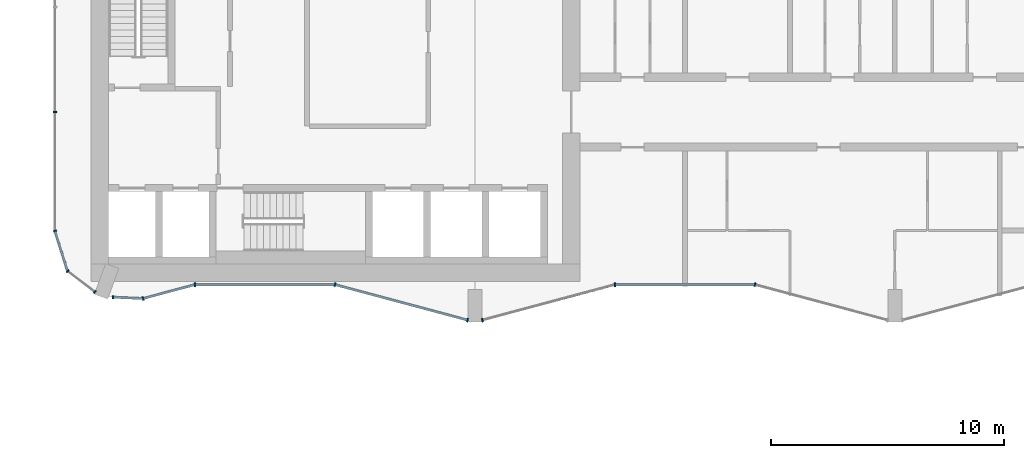
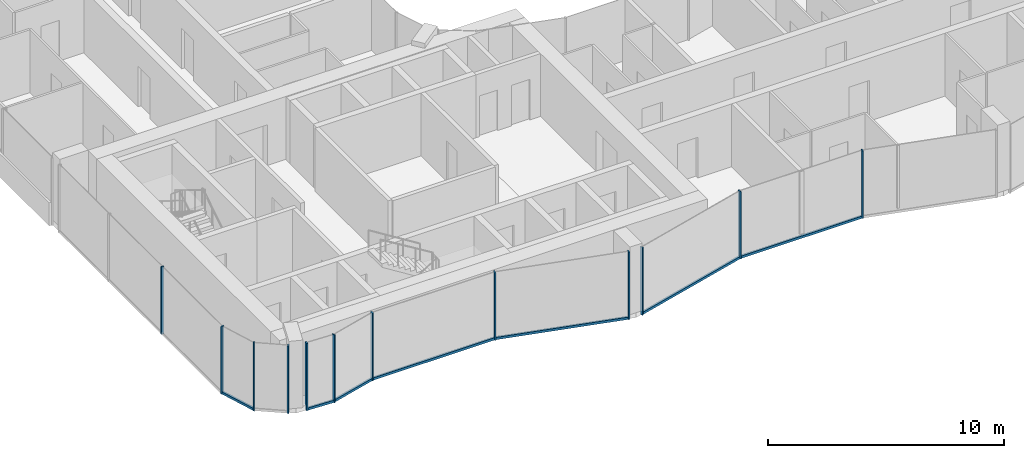
# One storey, part 2 of 24: 19 members, 10 elements without a shape of their own.
"""IFC4 building model written with IfcOpenShell, lengths in metres."""

from ifc_helpers import new_model, si_unit, direction, frame, origin, origin_2d, place, context, subcontext, project, spatial, rectangle, extrude, material, layer, layer_set, material_profile, profile_set, type_object, element, aggregate, save


model = new_model("IFC4")

# Units and contexts
model_context = context("Model", 3, precision=1e-05, world=origin(), true_north=direction((0.0, 1.0)))
body_context = subcontext(model_context, "Body", "Model", "MODEL_VIEW")
ifc_project = project(units=[si_unit("LENGTHUNIT", "METRE"), si_unit("AREAUNIT", "SQUARE_METRE"), si_unit("VOLUMEUNIT", "CUBIC_METRE"), si_unit("PLANEANGLEUNIT", "RADIAN"), si_unit("MASSUNIT", "GRAM", prefix="KILO")], contexts=[model_context])

# Site, building, storey
site_placement = place(None, origin())
site = spatial("IfcSite", under=ifc_project, at=site_placement, CompositionType="ELEMENT")
building_placement = place(site_placement, origin())
building = spatial("IfcBuilding", under=site, at=building_placement, Name="Plateau Cross Towers", CompositionType="ELEMENT")
storey_placement = place(building_placement, frame((0.0, 0.0, 47.800048828125)))
storey = spatial("IfcBuildingStorey", under=building, at=storey_placement, Name="L11", CompositionType="ELEMENT", Elevation=47.800048828125)

# Curtain wall, member
ifc_material_1 = material(Name="Dark low-iron glass", Category="glass")
ifc_layer_1 = layer(ifc_material_1, 0.239990234375)
ifc_layer_set_1 = layer_set([ifc_layer_1], Name="Dark low-iron glass")
curtain_wall_type_1 = type_object("IfcCurtainWallType", Name="Curtain wall flush unitised CW-B", PredefinedType="NOTDEFINED", material=ifc_layer_set_1)
curtain_wall_1_placement = place(storey_placement, origin())
curtain_wall_1 = element("IfcCurtainWall", 1, at=curtain_wall_1_placement, inside=storey, type_object=curtain_wall_type_1, Name="ENV/A/L11/A0_177", PredefinedType="NOTDEFINED")
ifc_material_2 = material(Name="Black anodised aluminium", Category="aluminium")
ifc_material_profile_1 = material_profile(ifc_material_2, rectangle(XDim=0.06005859375, YDim=0.139892578125, at=origin_2d()), Name="MULLION 60x140")
ifc_profile_set_1 = profile_set([ifc_material_profile_1], Name="Black anodised aluminium")
member_type_1 = type_object("IfcMemberType", Name="Mullion 60x140 flush unitised", PredefinedType="MULLION", material=ifc_profile_set_1)
member_1_placement = place(storey_placement, frame((0.0, 9.0, -0.25), z_axis=(0.0, 0.0, 1.0), x_axis=(0.0, -1.0, 0.0)))
member_1 = element("IfcMember", 2, at=member_1_placement, type_object=member_type_1, Name="CW-B mullion 3", PredefinedType="MULLION", context=body_context, shape_type="SweptSolid", body=[
    extrude(rectangle(XDim=0.06005859375, YDim=0.139892578125, at=origin_2d()), origin(), (0.0, 0.0, 1.0), 3.5),
])
aggregate(curtain_wall_1, [member_1])

curtain_wall_2_placement = place(storey_placement, origin())
curtain_wall_2 = element("IfcCurtainWall", 3, at=curtain_wall_2_placement, inside=storey, type_object=curtain_wall_type_1, Name="ENV/A/L11/A0_39", PredefinedType="NOTDEFINED")
member_2_placement = place(storey_placement, frame((0.0, 3.9091796875, -0.25), z_axis=(0.0, 0.0, 1.0), x_axis=(0.300686174994, -0.95372313811, 0.0)))
member_2 = element("IfcMember", 4, at=member_2_placement, type_object=member_type_1, Name="CW-B mullion 1", PredefinedType="MULLION", context=body_context, shape_type="SweptSolid", body=[
    extrude(rectangle(XDim=0.06005859375, YDim=0.139892578125, at=origin_2d()), origin(), (0.0, 0.0, 1.0), 3.5),
])

# Curtain wall, members
curtain_wall_3_placement = place(storey_placement, origin())
curtain_wall_3 = element("IfcCurtainWall", 5, at=curtain_wall_3_placement, inside=storey, type_object=curtain_wall_type_1, Name="ENV/A/L11/A5_22", PredefinedType="NOTDEFINED")
member_3_placement = place(storey_placement, frame((0.54248046875, 2.1884765625, -0.25), z_axis=(0.0, 0.0, 1.0), x_axis=(0.793315514529, -0.608810721331, 0.0)))
member_3 = element("IfcMember", 6, at=member_3_placement, type_object=member_type_1, Name="CW-B mullion 1", PredefinedType="MULLION", context=body_context, shape_type="SweptSolid", body=[
    extrude(rectangle(XDim=0.06005859375, YDim=0.139892578125, at=origin_2d()), origin(), (0.0, 0.0, 1.0), 3.5),
])
member_4_placement = place(storey_placement, frame((1.709716796875, 1.292724609375, -0.25), z_axis=(0.0, 0.0, 1.0), x_axis=(0.793315514529, -0.608810721331, 0.0)))
member_4 = element("IfcMember", 7, at=member_4_placement, type_object=member_type_1, Name="CW-B mullion 2", PredefinedType="MULLION", context=body_context, shape_type="SweptSolid", body=[
    extrude(rectangle(XDim=0.06005859375, YDim=0.139892578125, at=origin_2d()), origin(), (0.0, 0.0, 1.0), 3.5),
])
aggregate(curtain_wall_3, [member_3, member_4])

# Curtain wall, member
curtain_wall_4_placement = place(storey_placement, origin())
curtain_wall_4 = element("IfcCurtainWall", 8, at=curtain_wall_4_placement, inside=storey, type_object=curtain_wall_type_1, Name="ENV/A/L11/A25_11", PredefinedType="NOTDEFINED")
member_5_placement = place(storey_placement, frame((2.483642578125, 1.06787109375, -0.25), z_axis=(0.0, 0.0, 1.0), x_axis=(0.999043701491, -0.043722791671, 0.0)))
member_5 = element("IfcMember", 9, at=member_5_placement, type_object=member_type_1, Name="CW-B mullion 1", PredefinedType="MULLION", context=body_context, shape_type="SweptSolid", body=[
    extrude(rectangle(XDim=0.06005859375, YDim=0.139892578125, at=origin_2d()), origin(), (0.0, 0.0, 1.0), 3.5),
])

ifc_layer_2 = layer(ifc_material_1, 0.260009765625)
ifc_layer_set_2 = layer_set([ifc_layer_2], Name="Dark low-iron glass")
curtain_wall_type_2 = type_object("IfcCurtainWallType", Name="Curtain wall fluted unitised CW-A", PredefinedType="NOTDEFINED", material=ifc_layer_set_2)
curtain_wall_5_placement = place(storey_placement, origin())
curtain_wall_5 = element("IfcCurtainWall", 10, at=curtain_wall_5_placement, inside=storey, type_object=curtain_wall_type_2, Name="ENV/A/L11/A38_10", PredefinedType="NOTDEFINED")
ifc_material_profile_2 = material_profile(ifc_material_2, rectangle(XDim=0.06005859375, YDim=0.159912109375, at=origin_2d()), Name="MULLION 60x160")
ifc_profile_set_2 = profile_set([ifc_material_profile_2], Name="Black anodised aluminium")
member_type_2 = type_object("IfcMemberType", Name="Mullion 60x160 fluted unitised", PredefinedType="MULLION", material=ifc_profile_set_2)
member_6_placement = place(storey_placement, frame((3.776123046875, 1.01123046875, -0.25), z_axis=(0.0, 0.0, 1.0), x_axis=(0.965957962328, 0.258699081978, 0.0)))
member_6 = element("IfcMember", 11, at=member_6_placement, type_object=member_type_2, Name="CW-A mullion 1", PredefinedType="MULLION", context=body_context, shape_type="SweptSolid", body=[
    extrude(rectangle(XDim=0.06005859375, YDim=0.159912109375, at=origin_2d()), origin(), (0.0, 0.0, 1.0), 3.5),
])

curtain_wall_6_placement = place(storey_placement, origin())
curtain_wall_6 = element("IfcCurtainWall", 12, at=curtain_wall_6_placement, inside=storey, type_object=curtain_wall_type_2, Name="ENV/A/L11/A60_16", PredefinedType="NOTDEFINED")
member_7_placement = place(storey_placement, frame((6.0, 1.60693359375, -0.25), z_axis=(0.0, 0.0, 1.0), x_axis=(1.0, 0.0, 0.0)))
member_7 = element("IfcMember", 13, at=member_7_placement, type_object=member_type_2, Name="CW-A mullion 1", PredefinedType="MULLION", context=body_context, shape_type="SweptSolid", body=[
    extrude(rectangle(XDim=0.06005859375, YDim=0.159912109375, at=origin_2d()), origin(), (0.0, 0.0, 1.0), 3.5),
])

# Curtain wall, members
curtain_wall_7_placement = place(storey_placement, origin())
curtain_wall_7 = element("IfcCurtainWall", 14, at=curtain_wall_7_placement, inside=storey, type_object=curtain_wall_type_2, Name="ENV/A/L11/A120_16", PredefinedType="NOTDEFINED")
member_8_placement = place(storey_placement, frame((12.0, 1.60693359375, -0.25), z_axis=(0.0, 0.0, 1.0), x_axis=(0.965957983404, -0.258699003279, 0.0)))
member_8 = element("IfcMember", 15, at=member_8_placement, type_object=member_type_2, Name="CW-A mullion 1", PredefinedType="MULLION", context=body_context, shape_type="SweptSolid", body=[
    extrude(rectangle(XDim=0.06005859375, YDim=0.159912109375, at=origin_2d()), origin(), (0.0, 0.0, 1.0), 3.5),
])
member_9_placement = place(storey_placement, frame((17.68212890625, 0.085205078125, -0.25), z_axis=(0.0, 0.0, 1.0), x_axis=(0.965957983404, -0.258699003279, 0.0)))
member_9 = element("IfcMember", 16, at=member_9_placement, type_object=member_type_2, Name="CW-A mullion 2", PredefinedType="MULLION", context=body_context, shape_type="SweptSolid", body=[
    extrude(rectangle(XDim=0.06005859375, YDim=0.159912109375, at=origin_2d()), origin(), (0.0, 0.0, 1.0), 3.5),
])

# Curtain wall, member
curtain_wall_8_placement = place(storey_placement, origin())
curtain_wall_8 = element("IfcCurtainWall", 17, at=curtain_wall_8_placement, inside=storey, type_object=curtain_wall_type_2, Name="ENV/A/L11/A183_1", PredefinedType="NOTDEFINED")
member_10_placement = place(storey_placement, frame((18.31787109375, 0.085205078125, -0.25), z_axis=(0.0, 0.0, 1.0), x_axis=(0.965957983404, 0.258699003279, 0.0)))
member_10 = element("IfcMember", 18, at=member_10_placement, type_object=member_type_2, Name="CW-A mullion 1", PredefinedType="MULLION", context=body_context, shape_type="SweptSolid", body=[
    extrude(rectangle(XDim=0.06005859375, YDim=0.159912109375, at=origin_2d()), origin(), (0.0, 0.0, 1.0), 3.5),
])

curtain_wall_9_placement = place(storey_placement, origin())
curtain_wall_9 = element("IfcCurtainWall", 19, at=curtain_wall_9_placement, inside=storey, type_object=curtain_wall_type_2, Name="ENV/A/L11/A240_16", PredefinedType="NOTDEFINED")
member_11_placement = place(storey_placement, frame((24.0, 1.60693359375, -0.25), z_axis=(0.0, 0.0, 1.0), x_axis=(1.0, 0.0, 0.0)))
member_11 = element("IfcMember", 20, at=member_11_placement, type_object=member_type_2, Name="CW-A mullion 1", PredefinedType="MULLION", context=body_context, shape_type="SweptSolid", body=[
    extrude(rectangle(XDim=0.06005859375, YDim=0.159912109375, at=origin_2d()), origin(), (0.0, 0.0, 1.0), 3.5),
])

curtain_wall_10_placement = place(storey_placement, origin())
curtain_wall_10 = element("IfcCurtainWall", 21, at=curtain_wall_10_placement, inside=storey, type_object=curtain_wall_type_2, Name="ENV/A/L11/A300_16", PredefinedType="NOTDEFINED")
member_12_placement = place(storey_placement, frame((30.0, 1.60693359375, -0.25), z_axis=(0.0, 0.0, 1.0), x_axis=(0.965957983404, -0.258699003279, 0.0)))
member_12 = element("IfcMember", 22, at=member_12_placement, type_object=member_type_2, Name="CW-A mullion 1", PredefinedType="MULLION", context=body_context, shape_type="SweptSolid", body=[
    extrude(rectangle(XDim=0.06005859375, YDim=0.159912109375, at=origin_2d()), origin(), (0.0, 0.0, 1.0), 3.5),
])
aggregate(curtain_wall_10, [member_12])

# Member
ifc_material_profile_3 = material_profile(ifc_material_2, rectangle(XDim=0.10009765625, YDim=0.1201171875, at=origin_2d()), Name="TRANSOM 100x120")
ifc_profile_set_3 = profile_set([ifc_material_profile_3], Name="Black anodised aluminium")
member_type_3 = type_object("IfcMemberType", Name="Transom 100x120 flush unitised", PredefinedType="USERDEFINED", material=ifc_profile_set_3)
member_13_placement = place(storey_placement, frame((0.0, 3.9091796875, -0.18994140625), z_axis=(0.30067799945, -0.953725715626, 0.0), x_axis=(0.953725715626, 0.30067799945, 0.0)))
member_13 = element("IfcMember", 23, at=member_13_placement, type_object=member_type_3, Name="CW-B transom", ObjectType="TRANSOM", PredefinedType="USERDEFINED", context=body_context, shape_type="SweptSolid", body=[
    extrude(rectangle(XDim=0.10009765625, YDim=0.1201171875, at=origin_2d()), origin(), (0.0, 0.0, 1.0), 1.80419921875),
])

aggregate(curtain_wall_2, [member_2, member_13])

member_14_placement = place(storey_placement, frame((2.483642578125, 1.06787109375, -0.18994140625), z_axis=(0.999041144614, -0.043781175963, 0.0), x_axis=(0.043781175963, 0.999041144614, 0.0)))
member_14 = element("IfcMember", 24, at=member_14_placement, type_object=member_type_3, Name="CW-B transom", ObjectType="TRANSOM", PredefinedType="USERDEFINED", context=body_context, shape_type="SweptSolid", body=[
    extrude(rectangle(XDim=0.10009765625, YDim=0.1201171875, at=origin_2d()), origin(), (0.0, 0.0, 1.0), 1.293701171875),
])

aggregate(curtain_wall_4, [member_5, member_14])

ifc_material_profile_4 = material_profile(ifc_material_2, rectangle(XDim=0.10009765625, YDim=0.1201171875, at=origin_2d()), Name="TRANSOM 100x120")
ifc_profile_set_4 = profile_set([ifc_material_profile_4], Name="Black anodised aluminium")
member_type_4 = type_object("IfcMemberType", Name="Transom 100x120 fluted unitised", PredefinedType="USERDEFINED", material=ifc_profile_set_4)
member_15_placement = place(storey_placement, frame((3.776123046875, 1.01123046875, -0.18994140625), z_axis=(0.965945685136, 0.258744919501, 0.0), x_axis=(-0.258744919501, 0.965945685136, 0.0)))
member_15 = element("IfcMember", 25, at=member_15_placement, type_object=member_type_4, Name="CW-A transom", ObjectType="TRANSOM", PredefinedType="USERDEFINED", context=body_context, shape_type="SweptSolid", body=[
    extrude(rectangle(XDim=0.10009765625, YDim=0.1201171875, at=origin_2d()), origin(), (0.0, 0.0, 1.0), 2.30224609375),
])

aggregate(curtain_wall_5, [member_6, member_15])

member_16_placement = place(storey_placement, frame((6.0, 1.60693359375, -0.18994140625), z_axis=(1.0, 0.0, 0.0), x_axis=(0.0, 1.0, 0.0)))
member_16 = element("IfcMember", 26, at=member_16_placement, type_object=member_type_4, Name="CW-A transom", ObjectType="TRANSOM", PredefinedType="USERDEFINED", context=body_context, shape_type="SweptSolid", body=[
    extrude(rectangle(XDim=0.10009765625, YDim=0.1201171875, at=origin_2d()), origin(), (0.0, 0.0, 1.0), 6.0),
])

aggregate(curtain_wall_6, [member_7, member_16])

member_17_placement = place(storey_placement, frame((12.0, 1.60693359375, -0.18994140625), z_axis=(0.965959534794, -0.258693210465, 0.0), x_axis=(0.258693210465, 0.965959534794, 0.0)))
member_17 = element("IfcMember", 27, at=member_17_placement, type_object=member_type_4, Name="CW-A transom", ObjectType="TRANSOM", PredefinedType="USERDEFINED", context=body_context, shape_type="SweptSolid", body=[
    extrude(rectangle(XDim=0.10009765625, YDim=0.1201171875, at=origin_2d()), origin(), (0.0, 0.0, 1.0), 5.88232421875),
])

aggregate(curtain_wall_7, [member_8, member_9, member_17])

member_18_placement = place(storey_placement, frame((18.31787109375, 0.085205078125, -0.18994140625), z_axis=(0.965959534794, 0.258693210465, 0.0), x_axis=(-0.258693210465, 0.965959534794, 0.0)))
member_18 = element("IfcMember", 28, at=member_18_placement, type_object=member_type_4, Name="CW-A transom", ObjectType="TRANSOM", PredefinedType="USERDEFINED", context=body_context, shape_type="SweptSolid", body=[
    extrude(rectangle(XDim=0.10009765625, YDim=0.1201171875, at=origin_2d()), origin(), (0.0, 0.0, 1.0), 5.88232421875),
])

aggregate(curtain_wall_8, [member_10, member_18])

member_19_placement = place(storey_placement, frame((24.0, 1.60693359375, -0.18994140625), z_axis=(1.0, 0.0, 0.0), x_axis=(0.0, 1.0, 0.0)))
member_19 = element("IfcMember", 29, at=member_19_placement, type_object=member_type_4, Name="CW-A transom", ObjectType="TRANSOM", PredefinedType="USERDEFINED", context=body_context, shape_type="SweptSolid", body=[
    extrude(rectangle(XDim=0.10009765625, YDim=0.1201171875, at=origin_2d()), origin(), (0.0, 0.0, 1.0), 6.0),
])

aggregate(curtain_wall_9, [member_11, member_19])

save(model, "model.ifc")
